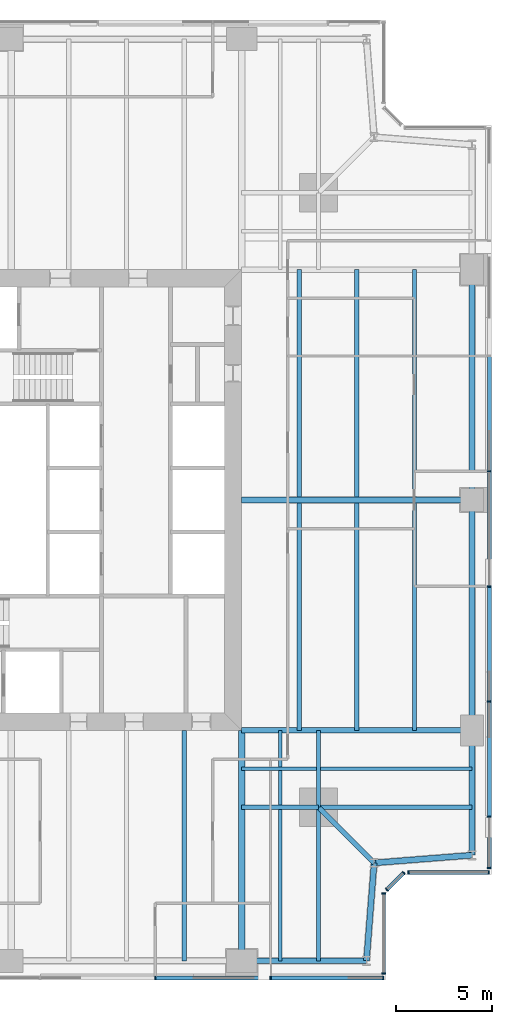
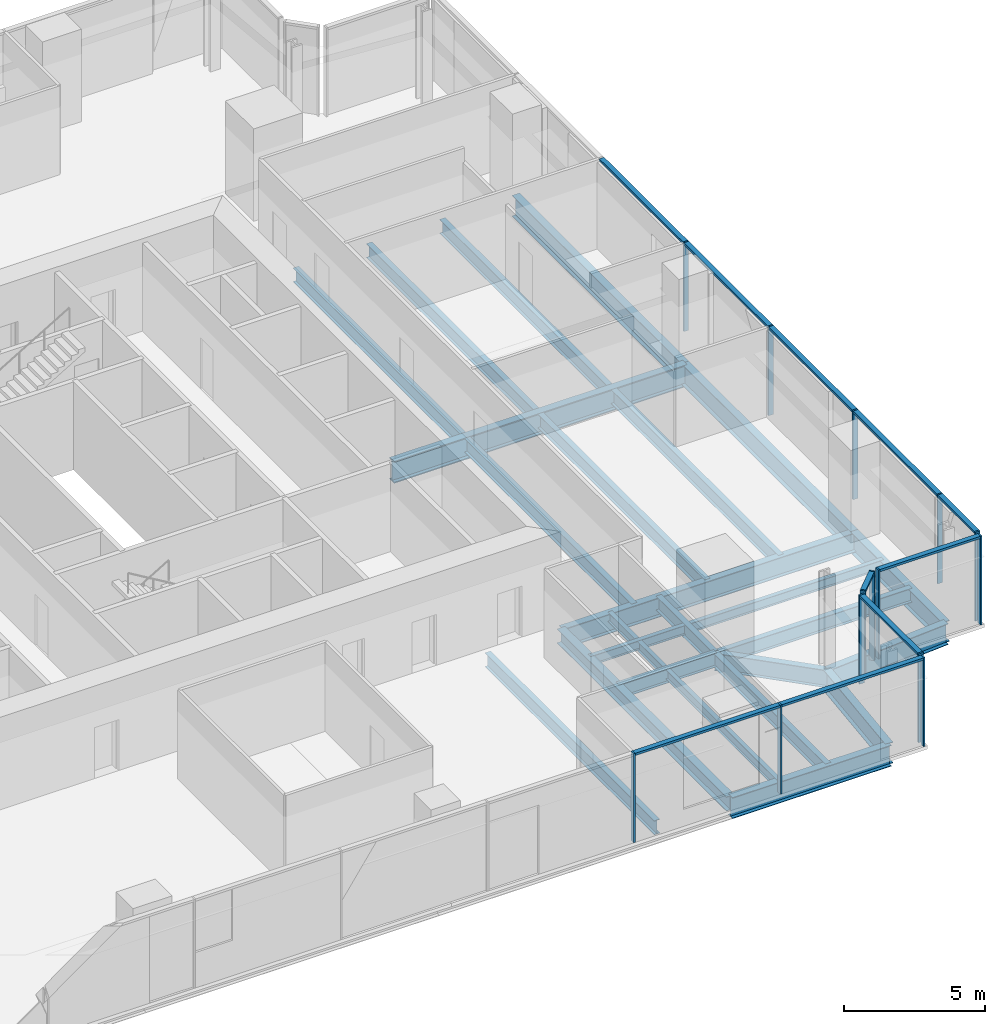
# One storey, part 5 of 14: 26 beams, 24 members, 5 elements without a shape of their own.
"""IFC4 building model written with IfcOpenShell, lengths in metres."""

from ifc_helpers import new_model, si_unit, direction, frame, origin, origin_2d, place, context, subcontext, project, spatial, rectangle, i_section, extrude, material, material_profile, profile_set, type_object, element, aggregate, save


model = new_model("IFC4")

# Units and contexts
model_context = context("Model", 3, precision=1e-05, world=origin(), true_north=direction((0.0, 1.0)))
body_context = subcontext(model_context, "Body", "Model", "MODEL_VIEW")
ifc_project = project(units=[si_unit("LENGTHUNIT", "METRE"), si_unit("AREAUNIT", "SQUARE_METRE"), si_unit("VOLUMEUNIT", "CUBIC_METRE"), si_unit("PLANEANGLEUNIT", "RADIAN"), si_unit("MASSUNIT", "GRAM", prefix="KILO")], contexts=[model_context])

# Site, building, storey
site_placement = place(None, origin())
site = spatial("IfcSite", under=ifc_project, at=site_placement, CompositionType="ELEMENT")
building_placement = place(site_placement, origin())
building = spatial("IfcBuilding", under=site, at=building_placement, Name="Fenwick Lantern Interchange", CompositionType="ELEMENT")
storey_placement = place(building_placement, frame((0.0, 0.0, 173.800048828125)))
storey = spatial("IfcBuildingStorey", under=building, at=storey_placement, Name="L40", CompositionType="ELEMENT", Elevation=173.800048828125)

# Beams
ifc_material_1 = material(Name="Steel ASTM A992 Grade 50", Category="steel")
ifc_material_profile_1 = material_profile(ifc_material_1, i_section(OverallWidth=0.3046875, OverallDepth=0.911865234375, WebThickness=0.015869140625, FlangeThickness=0.02392578125, at=origin_2d()), Name="W36X150")
ifc_profile_set_1 = profile_set([ifc_material_profile_1], Name="Steel ASTM A992 Grade 50")
beam_type_1 = type_object("IfcBeamType", Name="EDGE BEAM W36X150", PredefinedType="SPANDREL", material=ifc_profile_set_1)
beam_1_placement = place(storey_placement, frame((37.0, 1.0, -0.60595703125), z_axis=(1.0, 0.0, 0.0), x_axis=(0.0, 1.0, 0.0)))
element("IfcBeam", 1, at=beam_1_placement, inside=storey, type_object=beam_type_1, Name="L40/FR/S/EB4", PredefinedType="SPANDREL", context=body_context, shape_type="SweptSolid", body=[
    extrude(i_section(OverallWidth=0.3046875, OverallDepth=0.911865234375, WebThickness=0.015869140625, FlangeThickness=0.02392578125, at=origin_2d()), origin(), (0.0, 0.0, 1.0), 6.5),
])
for number, where, z_axis, x_axis, name in (
    (2, (43.5, 1.0, -0.60595703125), (0.078170784639, 0.99693998236, 0.0), (-0.99693998236, 0.078170784639, 0.0), "L40/FR/S/EBR1"),
    (3, (43.89990234375, 6.10009765625, -0.60595703125), (0.99693998236, 0.078170784639, 0.0), (-0.078170784639, 0.99693998236, 0.0), "L40/FR/S/EBR2"),
):
    element("IfcBeam", number, at=place(storey_placement, frame(where, z_axis=z_axis, x_axis=x_axis)), inside=storey, type_object=beam_type_1, Name=name, PredefinedType="SPANDREL", context=body_context, shape_type="SweptSolid", body=[
        extrude(i_section(OverallWidth=0.3046875, OverallDepth=0.911865234375, WebThickness=0.015869140625, FlangeThickness=0.02392578125, at=origin_2d()), origin(), (0.0, 0.0, 1.0), 5.11572265625),
    ])
beam_2_placement = place(storey_placement, frame((49.0, 6.5, -0.60595703125), z_axis=(0.0, 1.0, 0.0), x_axis=(-1.0, 0.0, 0.0)))
element("IfcBeam", 4, at=beam_2_placement, inside=storey, type_object=beam_type_1, Name="L40/FR/E/EB1", PredefinedType="SPANDREL", context=body_context, shape_type="SweptSolid", body=[
    extrude(i_section(OverallWidth=0.3046875, OverallDepth=0.911865234375, WebThickness=0.015869140625, FlangeThickness=0.02392578125, at=origin_2d()), origin(), (0.0, 0.0, 1.0), 6.5),
])
for number, where, z_axis, x_axis, name in (
    (5, (49.0, 13.0, -0.60595703125), (0.0, 1.0, 0.0), (-1.0, 0.0, 0.0), "L40/FR/E/EB2"),
    (6, (49.0, 25.0, -0.60595703125), (0.0, 1.0, 0.0), (-1.0, 0.0, 0.0), "L40/FR/E/EB3"),
):
    element("IfcBeam", number, at=place(storey_placement, frame(where, z_axis=z_axis, x_axis=x_axis)), inside=storey, type_object=beam_type_1, Name=name, PredefinedType="SPANDREL", context=body_context, shape_type="SweptSolid", body=[
        extrude(i_section(OverallWidth=0.3046875, OverallDepth=0.911865234375, WebThickness=0.015869140625, FlangeThickness=0.02392578125, at=origin_2d()), origin(), (0.0, 0.0, 1.0), 12.0),
    ])
ifc_material_profile_2 = material_profile(ifc_material_1, i_section(OverallWidth=0.22900390625, OverallDepth=0.612060546875, WebThickness=0.011962890625, FlangeThickness=0.01953125, at=origin_2d()), Name="W24X84")
ifc_profile_set_2 = profile_set([ifc_material_profile_2], Name="Steel ASTM A992 Grade 50")
beam_type_2 = type_object("IfcBeamType", Name="FLOOR BEAM W24X84", PredefinedType="BEAM", material=ifc_profile_set_2)
beam_3_placement = place(storey_placement, frame((34.0, 1.0, -0.4560546875), z_axis=(0.0, 1.0, 0.0), x_axis=(-1.0, 0.0, 0.0)))
element("IfcBeam", 7, at=beam_3_placement, inside=storey, type_object=beam_type_2, Name="L40/FR/S/R08", PredefinedType="BEAM", context=body_context, shape_type="SweptSolid", body=[
    extrude(i_section(OverallWidth=0.22900390625, OverallDepth=0.612060546875, WebThickness=0.011962890625, FlangeThickness=0.01953125, at=origin_2d()), origin(), (0.0, 0.0, 1.0), 12.0),
])
for number, where, z_axis, x_axis, name in (
    (8, (46.0, 13.0, -0.4560546875), (0.0, 1.0, 0.0), (-1.0, 0.0, 0.0), "L40/FR/E/B01"),
    (9, (43.0, 13.0, -0.4560546875), (0.0, 1.0, 0.0), (-1.0, 0.0, 0.0), "L40/FR/E/B02"),
    (10, (40.0, 13.0, -0.4560546875), (0.0, 1.0, 0.0), (-1.0, 0.0, 0.0), "L40/FR/E/B03"),
    (11, (46.0, 25.155029296875, -0.4560546875), (0.0, 1.0, 0.0), (-1.0, 0.0, 0.0), "L40/FR/E/B04"),
    (12, (43.0, 25.155029296875, -0.4560546875), (0.0, 1.0, 0.0), (-1.0, 0.0, 0.0), "L40/FR/E/B05"),
    (13, (40.0, 25.155029296875, -0.4560546875), (0.0, 1.0, 0.0), (-1.0, 0.0, 0.0), "L40/FR/E/B06"),
):
    element("IfcBeam", number, at=place(storey_placement, frame(where, z_axis=z_axis, x_axis=x_axis)), inside=storey, type_object=beam_type_2, Name=name, PredefinedType="BEAM", context=body_context, shape_type="SweptSolid", body=[
        extrude(i_section(OverallWidth=0.22900390625, OverallDepth=0.612060546875, WebThickness=0.011962890625, FlangeThickness=0.01953125, at=origin_2d()), origin(), (0.0, 0.0, 1.0), 11.844970703125),
    ])
ifc_material_profile_3 = material_profile(ifc_material_1, i_section(OverallWidth=0.177734375, OverallDepth=0.406494140625, WebThickness=0.0078125, FlangeThickness=0.012939453125, at=origin_2d()), Name="W16X40")
ifc_profile_set_3 = profile_set([ifc_material_profile_3], Name="Steel ASTM A992 Grade 50")
beam_type_3 = type_object("IfcBeamType", Name="INFILL BEAM W16X40", PredefinedType="JOIST", material=ifc_profile_set_3)
beam_4_placement = place(storey_placement, frame((49.0, 11.0, -0.353271484375), z_axis=(-1.0, 0.0, 0.0), x_axis=(0.0, -1.0, 0.0)))
element("IfcBeam", 14, at=beam_4_placement, inside=storey, type_object=beam_type_3, Name="L40/FR/E/J1", PredefinedType="JOIST", context=body_context, shape_type="SweptSolid", body=[
    extrude(i_section(OverallWidth=0.177734375, OverallDepth=0.406494140625, WebThickness=0.0078125, FlangeThickness=0.012939453125, at=origin_2d()), origin(), (0.0, 0.0, 1.0), 7.885498046875),
])
beam_5_placement = place(storey_placement, frame((40.885498046875, 11.0, -0.353271484375), z_axis=(-1.0, 0.0, 0.0), x_axis=(0.0, -1.0, 0.0)))
element("IfcBeam", 15, at=beam_5_placement, inside=storey, type_object=beam_type_3, Name="L40/FR/E/J2", PredefinedType="JOIST", context=body_context, shape_type="SweptSolid", body=[
    extrude(i_section(OverallWidth=0.177734375, OverallDepth=0.406494140625, WebThickness=0.0078125, FlangeThickness=0.012939453125, at=origin_2d()), origin(), (0.0, 0.0, 1.0), 3.885498046875),
])
beam_6_placement = place(storey_placement, frame((39.0, 1.0, -0.353271484375), z_axis=(0.0, 1.0, 0.0), x_axis=(-1.0, 0.0, 0.0)))
element("IfcBeam", 16, at=beam_6_placement, inside=storey, type_object=beam_type_3, Name="L40/FR/E/J3", PredefinedType="JOIST", context=body_context, shape_type="SweptSolid", body=[
    extrude(i_section(OverallWidth=0.177734375, OverallDepth=0.406494140625, WebThickness=0.0078125, FlangeThickness=0.012939453125, at=origin_2d()), origin(), (0.0, 0.0, 1.0), 7.885498046875),
])
beam_7_placement = place(storey_placement, frame((39.0, 9.114501953125, -0.353271484375), z_axis=(0.0, 1.0, 0.0), x_axis=(-1.0, 0.0, 0.0)))
element("IfcBeam", 17, at=beam_7_placement, inside=storey, type_object=beam_type_3, Name="L40/FR/E/J4", PredefinedType="JOIST", context=body_context, shape_type="SweptSolid", body=[
    extrude(i_section(OverallWidth=0.177734375, OverallDepth=0.406494140625, WebThickness=0.0078125, FlangeThickness=0.012939453125, at=origin_2d()), origin(), (0.0, 0.0, 1.0), 1.796630859375),
])
beam_8_placement = place(storey_placement, frame((39.0, 11.0888671875, -0.353271484375), z_axis=(0.0, 1.0, 0.0), x_axis=(-1.0, 0.0, 0.0)))
element("IfcBeam", 18, at=beam_8_placement, inside=storey, type_object=beam_type_3, Name="L40/FR/E/J5", PredefinedType="JOIST", context=body_context, shape_type="SweptSolid", body=[
    extrude(i_section(OverallWidth=0.177734375, OverallDepth=0.406494140625, WebThickness=0.0078125, FlangeThickness=0.012939453125, at=origin_2d()), origin(), (0.0, 0.0, 1.0), 1.9111328125),
])
ifc_material_profile_4 = material_profile(ifc_material_1, i_section(OverallWidth=0.22900390625, OverallDepth=0.612060546875, WebThickness=0.011962890625, FlangeThickness=0.01953125, at=origin_2d()), Name="W24X84")
ifc_profile_set_4 = profile_set([ifc_material_profile_4], Name="Steel ASTM A992 Grade 50")
beam_type_4 = type_object("IfcBeamType", Name="MEGA COLUMN BEAM W24X84", PredefinedType="BEAM", material=ifc_profile_set_4)
for number, where, z_axis, x_axis, name in (
    (19, (41.0, 9.0, -0.4560546875), (1.0, 0.0, 0.0), (0.0, 1.0, 0.0), "L40/FR/E/MB1"),
    (20, (41.0, 9.0, -0.4560546875), (0.0, -1.0, 0.0), (1.0, 0.0, 0.0), "L40/FR/E/MB2"),
):
    element("IfcBeam", number, at=place(storey_placement, frame(where, z_axis=z_axis, x_axis=x_axis)), inside=storey, type_object=beam_type_4, Name=name, PredefinedType="BEAM", context=body_context, shape_type="SweptSolid", body=[
        extrude(i_section(OverallWidth=0.22900390625, OverallDepth=0.612060546875, WebThickness=0.011962890625, FlangeThickness=0.01953125, at=origin_2d()), origin(), (0.0, 0.0, 1.0), 8.0),
    ])
for number, where, z_axis, x_axis, name in (
    (21, (41.0, 9.0, -0.4560546875), (0.0, 1.0, 0.0), (-1.0, 0.0, 0.0), "L40/FR/E/MB3"),
    (22, (41.0, 9.0, -0.4560546875), (-1.0, 0.0, 0.0), (0.0, -1.0, 0.0), "L40/FR/E/MB4"),
):
    element("IfcBeam", number, at=place(storey_placement, frame(where, z_axis=z_axis, x_axis=x_axis)), inside=storey, type_object=beam_type_4, Name=name, PredefinedType="BEAM", context=body_context, shape_type="SweptSolid", body=[
        extrude(i_section(OverallWidth=0.22900390625, OverallDepth=0.612060546875, WebThickness=0.011962890625, FlangeThickness=0.01953125, at=origin_2d()), origin(), (0.0, 0.0, 1.0), 4.0),
    ])
ifc_material_profile_5 = material_profile(ifc_material_1, i_section(OverallWidth=0.32763671875, OverallDepth=0.622314453125, WebThickness=0.015380859375, FlangeThickness=0.0244140625, at=origin_2d()), Name="W24X131")
ifc_profile_set_5 = profile_set([ifc_material_profile_5], Name="Steel ASTM A992 Grade 50")
beam_type_5 = type_object("IfcBeamType", Name="MOMENT-CONNECTED GIRDER W24X131", PredefinedType="BEAM", material=ifc_profile_set_5)
beam_9_placement = place(storey_placement, frame((37.0, 1.0, -0.461181640625), z_axis=(0.0, 1.0, 0.0), x_axis=(-1.0, 0.0, 0.0)))
element("IfcBeam", 23, at=beam_9_placement, inside=storey, type_object=beam_type_5, Name="L40/FR/S/R09", PredefinedType="BEAM", context=body_context, shape_type="SweptSolid", body=[
    extrude(i_section(OverallWidth=0.32763671875, OverallDepth=0.622314453125, WebThickness=0.015380859375, FlangeThickness=0.0244140625, at=origin_2d()), origin(), (0.0, 0.0, 1.0), 12.0),
])
ifc_material_profile_6 = material_profile(ifc_material_1, i_section(OverallWidth=0.2919921875, OverallDepth=0.845703125, WebThickness=0.015380859375, FlangeThickness=0.0244140625, at=origin_2d()), Name="W33X141")
ifc_profile_set_6 = profile_set([ifc_material_profile_6], Name="Steel ASTM A992 Grade 50")
beam_type_6 = type_object("IfcBeamType", Name="MOMENT-CONNECTED GIRDER W33X141", PredefinedType="BEAM", material=ifc_profile_set_6)
beam_10_placement = place(storey_placement, frame((49.0, 13.0, -0.572998046875), z_axis=(-1.0, 0.0, 0.0), x_axis=(0.0, -1.0, 0.0)))
element("IfcBeam", 24, at=beam_10_placement, inside=storey, type_object=beam_type_6, Name="L40/FR/E/R01", PredefinedType="BEAM", context=body_context, shape_type="SweptSolid", body=[
    extrude(i_section(OverallWidth=0.2919921875, OverallDepth=0.845703125, WebThickness=0.015380859375, FlangeThickness=0.0244140625, at=origin_2d()), origin(), (0.0, 0.0, 1.0), 12.0),
])
ifc_material_profile_7 = material_profile(ifc_material_1, i_section(OverallWidth=0.309814453125, OverallDepth=0.949951171875, WebThickness=0.0244140625, FlangeThickness=0.0439453125, at=origin_2d()), Name="W36X256")
ifc_profile_set_7 = profile_set([ifc_material_profile_7], Name="Steel ASTM A992 Grade 50")
beam_type_7 = type_object("IfcBeamType", Name="MOMENT-CONNECTED GIRDER W36X256", PredefinedType="BEAM", material=ifc_profile_set_7)
beam_11_placement = place(storey_placement, frame((49.0, 25.0, -0.625), z_axis=(-1.0, 0.0, 0.0), x_axis=(0.0, -1.0, 0.0)))
element("IfcBeam", 25, at=beam_11_placement, inside=storey, type_object=beam_type_7, Name="L40/FR/E/R02", PredefinedType="BEAM", context=body_context, shape_type="SweptSolid", body=[
    extrude(i_section(OverallWidth=0.309814453125, OverallDepth=0.949951171875, WebThickness=0.0244140625, FlangeThickness=0.0439453125, at=origin_2d()), origin(), (0.0, 0.0, 1.0), 12.0),
])
ifc_material_profile_8 = material_profile(ifc_material_1, i_section(OverallWidth=0.2666015625, OverallDepth=0.7568359375, WebThickness=0.013916015625, FlangeThickness=0.019287109375, at=origin_2d()), Name="W30X108")
ifc_profile_set_8 = profile_set([ifc_material_profile_8], Name="Steel ASTM A992 Grade 50")
beam_type_8 = type_object("IfcBeamType", Name="NOTCH BEAM W30X108", PredefinedType="BEAM", material=ifc_profile_set_8)
beam_12_placement = place(storey_placement, frame((41.0, 9.0, -0.528564453125), z_axis=(0.707106781187, -0.707106781187, 0.0), x_axis=(0.707106781187, 0.707106781187, 0.0)))
element("IfcBeam", 26, at=beam_12_placement, inside=storey, type_object=beam_type_8, Name="L40/FR/E/TG", PredefinedType="BEAM", context=body_context, shape_type="SweptSolid", body=[
    extrude(i_section(OverallWidth=0.2666015625, OverallDepth=0.7568359375, WebThickness=0.013916015625, FlangeThickness=0.019287109375, at=origin_2d()), origin(), (0.0, 0.0, 1.0), 4.10107421875),
])

# Curtain wall, members
ifc_material_2 = material(Name="Aluminium curtain wall frame", Category="aluminium")
curtain_wall_type = type_object("IfcCurtainWallType", Name="OFFICE CURTAIN WALL", PredefinedType="USERDEFINED", material=ifc_material_2)
curtain_wall_1_placement = place(storey_placement, origin())
curtain_wall_1 = element("IfcCurtainWall", 27, at=curtain_wall_1_placement, inside=storey, type_object=curtain_wall_type, Name="Office curtain wall 01", ObjectType="OFFICE CURTAIN WALL", PredefinedType="USERDEFINED")
ifc_material_3 = material(Name="Aluminium extrusion", Category="aluminium")
ifc_material_profile_9 = material_profile(ifc_material_3, rectangle(XDim=0.199951171875, YDim=0.06494140625, at=origin_2d()), Name="OFFICE CURTAIN WALL MULLION 65 X 200")
ifc_profile_set_9 = profile_set([ifc_material_profile_9], Name="Aluminium extrusion")
member_type_1 = type_object("IfcMemberType", Name="OFFICE CURTAIN WALL MULLION 65 X 200", PredefinedType="MULLION", material=ifc_profile_set_9)
member_1_placement = place(storey_placement, frame((32.5, 0.10009765625, 0.0), z_axis=(0.0, 0.0, 1.0), x_axis=(0.0, 1.0, 0.0)))
member_1 = element("IfcMember", 28, at=member_1_placement, type_object=member_type_1, Name="L40/CW/01/M05", PredefinedType="MULLION", context=body_context, shape_type="SweptSolid", body=[
    extrude(rectangle(XDim=0.199951171875, YDim=0.06494140625, at=origin_2d()), origin(), (0.0, 0.0, 1.0), 3.849853515625),
])
member_2_placement = place(storey_placement, frame((38.5, 0.10009765625, 0.0), z_axis=(0.0, 0.0, 1.0), x_axis=(0.0, 1.0, 0.0)))
member_2 = element("IfcMember", 29, at=member_2_placement, type_object=member_type_1, Name="L40/CW/01/M06", PredefinedType="MULLION", context=body_context, shape_type="SweptSolid", body=[
    extrude(rectangle(XDim=0.199951171875, YDim=0.06494140625, at=origin_2d()), origin(), (0.0, 0.0, 1.0), 3.849853515625),
])
member_3_placement = place(storey_placement, frame((44.367431640625, 0.10009765625, 0.0), z_axis=(0.0, 0.0, 1.0), x_axis=(0.0, 1.0, 0.0)))
member_3 = element("IfcMember", 30, at=member_3_placement, type_object=member_type_1, Name="L40/CW/01/M07", PredefinedType="MULLION", context=body_context, shape_type="SweptSolid", body=[
    extrude(rectangle(XDim=0.199951171875, YDim=0.06494140625, at=origin_2d()), origin(), (0.0, 0.0, 1.0), 3.849853515625),
])

curtain_wall_2_placement = place(storey_placement, origin())
curtain_wall_2 = element("IfcCurtainWall", 31, at=curtain_wall_2_placement, inside=storey, type_object=curtain_wall_type, Name="Office curtain wall 02", ObjectType="OFFICE CURTAIN WALL", PredefinedType="USERDEFINED")
member_4_placement = place(storey_placement, frame((44.39990234375, 0.33251953125, 0.0), z_axis=(0.0, 0.0, 1.0), x_axis=(-1.0, 0.0, 0.0)))
member_4 = element("IfcMember", 32, at=member_4_placement, type_object=member_type_1, Name="L40/CW/02/M00", PredefinedType="MULLION", context=body_context, shape_type="SweptSolid", body=[
    extrude(rectangle(XDim=0.199951171875, YDim=0.06494140625, at=origin_2d()), origin(), (0.0, 0.0, 1.0), 3.849853515625),
])
member_5_placement = place(storey_placement, frame((44.39990234375, 4.509033203125, 0.0), z_axis=(0.0, 0.0, 1.0), x_axis=(-1.0, 0.0, 0.0)))
member_5 = element("IfcMember", 33, at=member_5_placement, type_object=member_type_1, Name="L40/CW/02/M01", PredefinedType="MULLION", context=body_context, shape_type="SweptSolid", body=[
    extrude(rectangle(XDim=0.199951171875, YDim=0.06494140625, at=origin_2d()), origin(), (0.0, 0.0, 1.0), 3.849853515625),
])

curtain_wall_3_placement = place(storey_placement, origin())
curtain_wall_3 = element("IfcCurtainWall", 34, at=curtain_wall_3_placement, inside=storey, type_object=curtain_wall_type, Name="Office curtain wall 03", ObjectType="OFFICE CURTAIN WALL", PredefinedType="USERDEFINED")
member_6_placement = place(storey_placement, frame((44.564453125, 4.705810546875, 0.0), z_axis=(0.0, 0.0, 1.0), x_axis=(-0.707106781187, 0.707106781187, 0.0)))
member_6 = element("IfcMember", 35, at=member_6_placement, type_object=member_type_1, Name="L40/CW/03/M00", PredefinedType="MULLION", context=body_context, shape_type="SweptSolid", body=[
    extrude(rectangle(XDim=0.199951171875, YDim=0.06494140625, at=origin_2d()), origin(), (0.0, 0.0, 1.0), 3.849853515625),
])
member_7_placement = place(storey_placement, frame((45.435546875, 5.576904296875, 0.0), z_axis=(0.0, 0.0, 1.0), x_axis=(-0.707106781187, 0.707106781187, 0.0)))
member_7 = element("IfcMember", 36, at=member_7_placement, type_object=member_type_1, Name="L40/CW/03/M01", PredefinedType="MULLION", context=body_context, shape_type="SweptSolid", body=[
    extrude(rectangle(XDim=0.199951171875, YDim=0.06494140625, at=origin_2d()), origin(), (0.0, 0.0, 1.0), 3.849853515625),
])

curtain_wall_4_placement = place(storey_placement, origin())
curtain_wall_4 = element("IfcCurtainWall", 37, at=curtain_wall_4_placement, inside=storey, type_object=curtain_wall_type, Name="Office curtain wall 04", ObjectType="OFFICE CURTAIN WALL", PredefinedType="USERDEFINED")
member_8_placement = place(storey_placement, frame((45.691162109375, 5.60009765625, 0.0), z_axis=(0.0, 0.0, 1.0), x_axis=(0.0, 1.0, 0.0)))
member_8 = element("IfcMember", 38, at=member_8_placement, type_object=member_type_1, Name="L40/CW/04/M00", PredefinedType="MULLION", context=body_context, shape_type="SweptSolid", body=[
    extrude(rectangle(XDim=0.199951171875, YDim=0.06494140625, at=origin_2d()), origin(), (0.0, 0.0, 1.0), 3.849853515625),
])
member_9_placement = place(storey_placement, frame((49.867431640625, 5.60009765625, 0.0), z_axis=(0.0, 0.0, 1.0), x_axis=(0.0, 1.0, 0.0)))
member_9 = element("IfcMember", 39, at=member_9_placement, type_object=member_type_1, Name="L40/CW/04/M01", PredefinedType="MULLION", context=body_context, shape_type="SweptSolid", body=[
    extrude(rectangle(XDim=0.199951171875, YDim=0.06494140625, at=origin_2d()), origin(), (0.0, 0.0, 1.0), 3.849853515625),
])

curtain_wall_5_placement = place(storey_placement, origin())
curtain_wall_5 = element("IfcCurtainWall", 40, at=curtain_wall_5_placement, inside=storey, type_object=curtain_wall_type, Name="Office curtain wall 05", ObjectType="OFFICE CURTAIN WALL", PredefinedType="USERDEFINED")
member_10_placement = place(storey_placement, frame((49.89990234375, 5.83251953125, 0.0), z_axis=(0.0, 0.0, 1.0), x_axis=(-1.0, 0.0, 0.0)))
member_10 = element("IfcMember", 41, at=member_10_placement, type_object=member_type_1, Name="L40/CW/05/M00", PredefinedType="MULLION", context=body_context, shape_type="SweptSolid", body=[
    extrude(rectangle(XDim=0.199951171875, YDim=0.06494140625, at=origin_2d()), origin(), (0.0, 0.0, 1.0), 3.849853515625),
])
member_11_placement = place(storey_placement, frame((49.89990234375, 8.5, 0.0), z_axis=(0.0, 0.0, 1.0), x_axis=(-1.0, 0.0, 0.0)))
member_11 = element("IfcMember", 42, at=member_11_placement, type_object=member_type_1, Name="L40/CW/05/M01", PredefinedType="MULLION", context=body_context, shape_type="SweptSolid", body=[
    extrude(rectangle(XDim=0.199951171875, YDim=0.06494140625, at=origin_2d()), origin(), (0.0, 0.0, 1.0), 3.849853515625),
])
member_12_placement = place(storey_placement, frame((49.89990234375, 14.5, 0.0), z_axis=(0.0, 0.0, 1.0), x_axis=(-1.0, 0.0, 0.0)))
member_12 = element("IfcMember", 43, at=member_12_placement, type_object=member_type_1, Name="L40/CW/05/M02", PredefinedType="MULLION", context=body_context, shape_type="SweptSolid", body=[
    extrude(rectangle(XDim=0.199951171875, YDim=0.06494140625, at=origin_2d()), origin(), (0.0, 0.0, 1.0), 3.849853515625),
])
member_13_placement = place(storey_placement, frame((49.89990234375, 20.5, 0.0), z_axis=(0.0, 0.0, 1.0), x_axis=(-1.0, 0.0, 0.0)))
member_13 = element("IfcMember", 44, at=member_13_placement, type_object=member_type_1, Name="L40/CW/05/M03", PredefinedType="MULLION", context=body_context, shape_type="SweptSolid", body=[
    extrude(rectangle(XDim=0.199951171875, YDim=0.06494140625, at=origin_2d()), origin(), (0.0, 0.0, 1.0), 3.849853515625),
])
member_14_placement = place(storey_placement, frame((49.89990234375, 26.5, 0.0), z_axis=(0.0, 0.0, 1.0), x_axis=(-1.0, 0.0, 0.0)))
member_14 = element("IfcMember", 45, at=member_14_placement, type_object=member_type_1, Name="L40/CW/05/M04", PredefinedType="MULLION", context=body_context, shape_type="SweptSolid", body=[
    extrude(rectangle(XDim=0.199951171875, YDim=0.06494140625, at=origin_2d()), origin(), (0.0, 0.0, 1.0), 3.849853515625),
])

# Member
ifc_material_profile_10 = material_profile(ifc_material_3, rectangle(XDim=0.199951171875, YDim=0.10009765625, at=origin_2d()), Name="OFFICE CURTAIN WALL TRANSOM 100 X 200")
ifc_profile_set_10 = profile_set([ifc_material_profile_10], Name="Aluminium extrusion")
member_type_2 = type_object("IfcMemberType", Name="OFFICE CURTAIN WALL TRANSOM 100 X 200", PredefinedType="MULLION", material=ifc_profile_set_10)
member_15_placement = place(storey_placement, frame((32.532470703125, 0.10009765625, 3.800048828125), z_axis=(1.0, 0.0, 0.0), x_axis=(0.0, 1.0, 0.0)))
member_15 = element("IfcMember", 46, at=member_15_placement, type_object=member_type_2, Name="L40/CW/01/T05", PredefinedType="MULLION", context=body_context, shape_type="SweptSolid", body=[
    extrude(rectangle(XDim=0.199951171875, YDim=0.10009765625, at=origin_2d()), origin(), (0.0, 0.0, 1.0), 5.93505859375),
])

member_16_placement = place(storey_placement, frame((38.532470703125, 0.10009765625, 3.800048828125), z_axis=(1.0, 0.0, 0.0), x_axis=(0.0, 1.0, 0.0)))
member_16 = element("IfcMember", 47, at=member_16_placement, type_object=member_type_2, Name="L40/CW/01/T06", PredefinedType="MULLION", context=body_context, shape_type="SweptSolid", body=[
    extrude(rectangle(XDim=0.199951171875, YDim=0.10009765625, at=origin_2d()), origin(), (0.0, 0.0, 1.0), 5.802490234375),
])

aggregate(curtain_wall_1, [member_1, member_2, member_3, member_15, member_16])

member_17_placement = place(storey_placement, frame((44.39990234375, 0.364990234375, 3.800048828125), z_axis=(0.0, 1.0, 0.0), x_axis=(-1.0, 0.0, 0.0)))
member_17 = element("IfcMember", 48, at=member_17_placement, type_object=member_type_2, Name="L40/CW/02/T00", PredefinedType="MULLION", context=body_context, shape_type="SweptSolid", body=[
    extrude(rectangle(XDim=0.199951171875, YDim=0.10009765625, at=origin_2d()), origin(), (0.0, 0.0, 1.0), 4.111328125),
])

aggregate(curtain_wall_2, [member_4, member_5, member_17])

member_18_placement = place(storey_placement, frame((44.58740234375, 4.728759765625, 3.800048828125), z_axis=(0.707106781187, 0.707106781187, 0.0), x_axis=(-0.707106781187, 0.707106781187, 0.0)))
member_18 = element("IfcMember", 49, at=member_18_placement, type_object=member_type_2, Name="L40/CW/03/T00", PredefinedType="MULLION", context=body_context, shape_type="SweptSolid", body=[
    extrude(rectangle(XDim=0.199951171875, YDim=0.10009765625, at=origin_2d()), origin(), (0.0, 0.0, 1.0), 1.1669921875),
])

aggregate(curtain_wall_3, [member_6, member_7, member_18])

member_19_placement = place(storey_placement, frame((45.7236328125, 5.60009765625, 3.800048828125), z_axis=(1.0, 0.0, 0.0), x_axis=(0.0, 1.0, 0.0)))
member_19 = element("IfcMember", 50, at=member_19_placement, type_object=member_type_2, Name="L40/CW/04/T00", PredefinedType="MULLION", context=body_context, shape_type="SweptSolid", body=[
    extrude(rectangle(XDim=0.199951171875, YDim=0.10009765625, at=origin_2d()), origin(), (0.0, 0.0, 1.0), 4.111328125),
])

aggregate(curtain_wall_4, [member_8, member_9, member_19])

member_20_placement = place(storey_placement, frame((49.89990234375, 5.864990234375, 3.800048828125), z_axis=(0.0, 1.0, 0.0), x_axis=(-1.0, 0.0, 0.0)))
member_20 = element("IfcMember", 51, at=member_20_placement, type_object=member_type_2, Name="L40/CW/05/T00", PredefinedType="MULLION", context=body_context, shape_type="SweptSolid", body=[
    extrude(rectangle(XDim=0.199951171875, YDim=0.10009765625, at=origin_2d()), origin(), (0.0, 0.0, 1.0), 2.6025390625),
])

member_21_placement = place(storey_placement, frame((49.89990234375, 8.532470703125, 3.800048828125), z_axis=(0.0, 1.0, 0.0), x_axis=(-1.0, 0.0, 0.0)))
member_21 = element("IfcMember", 52, at=member_21_placement, type_object=member_type_2, Name="L40/CW/05/T01", PredefinedType="MULLION", context=body_context, shape_type="SweptSolid", body=[
    extrude(rectangle(XDim=0.199951171875, YDim=0.10009765625, at=origin_2d()), origin(), (0.0, 0.0, 1.0), 5.93505859375),
])

member_22_placement = place(storey_placement, frame((49.89990234375, 14.532470703125, 3.800048828125), z_axis=(0.0, 1.0, 0.0), x_axis=(-1.0, 0.0, 0.0)))
member_22 = element("IfcMember", 53, at=member_22_placement, type_object=member_type_2, Name="L40/CW/05/T02", PredefinedType="MULLION", context=body_context, shape_type="SweptSolid", body=[
    extrude(rectangle(XDim=0.199951171875, YDim=0.10009765625, at=origin_2d()), origin(), (0.0, 0.0, 1.0), 5.93505859375),
])

member_23_placement = place(storey_placement, frame((49.89990234375, 20.532470703125, 3.800048828125), z_axis=(0.0, 1.0, 0.0), x_axis=(-1.0, 0.0, 0.0)))
member_23 = element("IfcMember", 54, at=member_23_placement, type_object=member_type_2, Name="L40/CW/05/T03", PredefinedType="MULLION", context=body_context, shape_type="SweptSolid", body=[
    extrude(rectangle(XDim=0.199951171875, YDim=0.10009765625, at=origin_2d()), origin(), (0.0, 0.0, 1.0), 5.93505859375),
])

member_24_placement = place(storey_placement, frame((49.89990234375, 26.532470703125, 3.800048828125), z_axis=(0.0, 1.0, 0.0), x_axis=(-1.0, 0.0, 0.0)))
member_24 = element("IfcMember", 55, at=member_24_placement, type_object=member_type_2, Name="L40/CW/05/T04", PredefinedType="MULLION", context=body_context, shape_type="SweptSolid", body=[
    extrude(rectangle(XDim=0.199951171875, YDim=0.10009765625, at=origin_2d()), origin(), (0.0, 0.0, 1.0), 5.93505859375),
])

aggregate(curtain_wall_5, [member_10, member_11, member_12, member_13, member_14, member_20, member_21, member_22, member_23, member_24])

save(model, "model.ifc")
